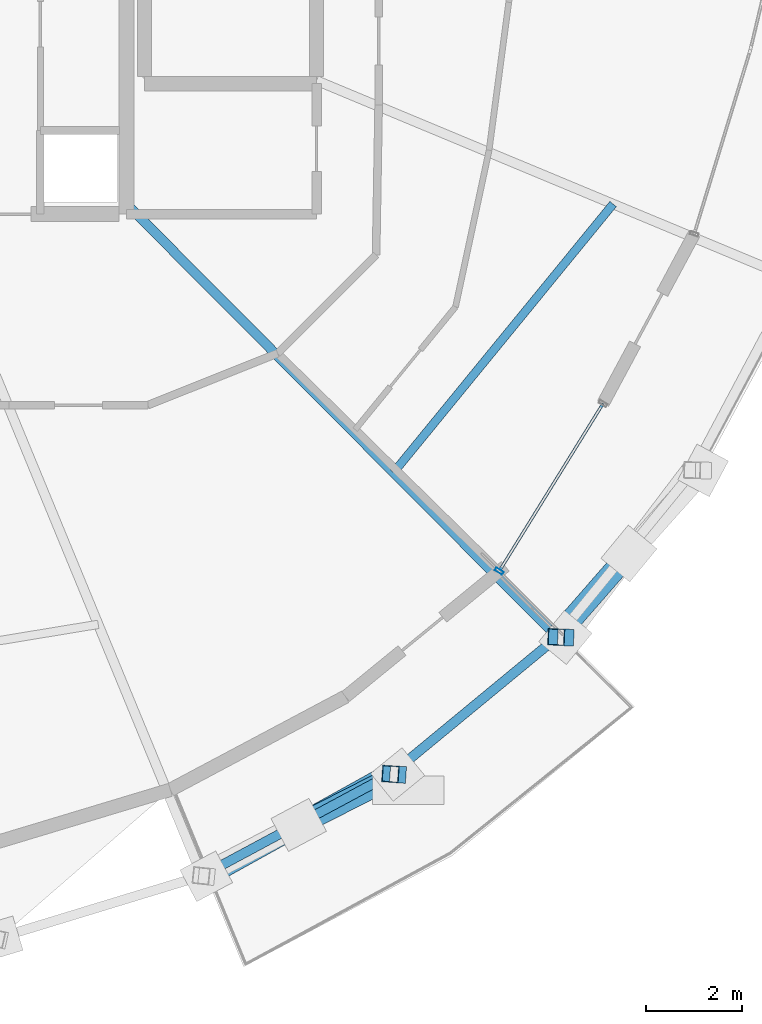
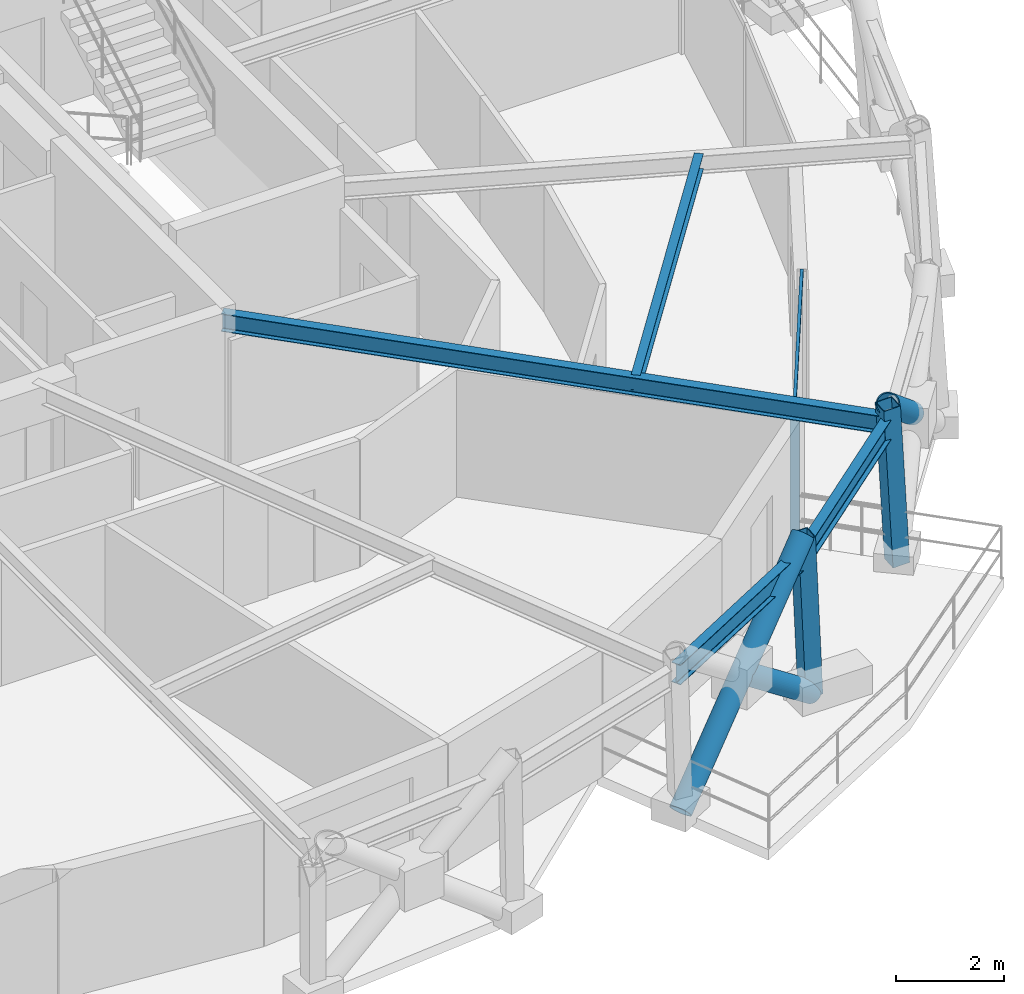
# One storey, part 2 of 12: 7 members, 4 beams, 1 element without a shape of its own.
"""IFC4 building model written with IfcOpenShell, lengths in metres."""

from ifc_helpers import new_model, si_unit, direction, frame, origin, origin_2d, place, context, subcontext, project, spatial, hollow_rectangle, hollow_circle, i_section, extrude, material, layer, layer_set, material_profile, profile_set, type_object, element, aggregate, save


model = new_model("IFC4")

# Units and contexts
model_context = context("Model", 3, precision=1e-05, world=origin(), true_north=direction((0.0, 1.0)))
body_context = subcontext(model_context, "Body", "Model", "MODEL_VIEW")
ifc_project = project(units=[si_unit("LENGTHUNIT", "METRE"), si_unit("AREAUNIT", "SQUARE_METRE"), si_unit("VOLUMEUNIT", "CUBIC_METRE"), si_unit("PLANEANGLEUNIT", "RADIAN"), si_unit("MASSUNIT", "GRAM", prefix="KILO")], contexts=[model_context])

# Site, building, storey
site_placement = place(None, origin())
site = spatial("IfcSite", under=ifc_project, at=site_placement, CompositionType="ELEMENT")
building_placement = place(site_placement, origin())
building = spatial("IfcBuilding", under=site, at=building_placement, Name="Veldorina Hangang Commons", CompositionType="ELEMENT")
storey_placement = place(building_placement, frame((0.0, 0.0, 247.199951171875)))
storey = spatial("IfcBuildingStorey", under=building, at=storey_placement, Name="L64", CompositionType="ELEMENT", Elevation=247.199951171875)

# Beams
ifc_material_1 = material(Name="Steel SM355-TMC", Category="steel")
ifc_material_profile_1 = material_profile(ifc_material_1, i_section(OverallWidth=0.199951171875, OverallDepth=0.39990234375, WebThickness=0.008056640625, FlangeThickness=0.012939453125, FilletRadius=0.012939453125, at=origin_2d()), Name="H-400x200x8x13")
ifc_profile_set_1 = profile_set([ifc_material_profile_1], Name="Steel SM355-TMC")
beam_type_1 = type_object("IfcBeamType", Name="BM-FG400", PredefinedType="BEAM", material=ifc_profile_set_1)
beam_1_placement = place(storey_placement, frame((39.199951171875, 16.7626953125, 3.16015625), z_axis=(0.705281678019, -0.708927185718, 0.0), x_axis=(0.708927185718, 0.705281678019, 0.0)))
element("IfcBeam", 1, at=beam_1_placement, inside=storey, type_object=beam_type_1, Name="L64 radial floor girder 15", PredefinedType="BEAM", context=body_context, shape_type="SweptSolid", body=[
    extrude(i_section(OverallWidth=0.199951171875, OverallDepth=0.39990234375, WebThickness=0.008056640625, FlangeThickness=0.012939453125, FilletRadius=0.012939453125, at=origin_2d()), origin(), (0.0, 0.0, 1.0), 12.791259765625),
])
ifc_material_profile_2 = material_profile(ifc_material_1, i_section(OverallWidth=0.175048828125, OverallDepth=0.35009765625, WebThickness=0.007080078125, FlangeThickness=0.010986328125, FilletRadius=0.012939453125, at=origin_2d()), Name="H-350x175x7x11")
ifc_profile_set_2 = profile_set([ifc_material_profile_2], Name="Steel SM355-TMC")
beam_type_2 = type_object("IfcBeamType", Name="BM-JST350", PredefinedType="JOIST", material=ifc_profile_set_2)
beam_2_placement = place(storey_placement, frame((44.793212890625, 11.140625, 3.18505859375), z_axis=(0.633074781162, 0.774090641628, 0.0), x_axis=(-0.774090641628, 0.633074781162, 0.0)))
element("IfcBeam", 2, at=beam_2_placement, inside=storey, type_object=beam_type_2, Name="L64 secondary floor joist 15", PredefinedType="JOIST", context=body_context, shape_type="SweptSolid", body=[
    extrude(i_section(OverallWidth=0.175048828125, OverallDepth=0.35009765625, WebThickness=0.007080078125, FlangeThickness=0.010986328125, FilletRadius=0.012939453125, at=origin_2d()), origin(), (0.0, 0.0, 1.0), 7.25927734375),
])
ifc_material_profile_3 = material_profile(ifc_material_1, i_section(OverallWidth=0.199951171875, OverallDepth=0.449951171875, WebThickness=0.009033203125, FlangeThickness=0.013916015625, FilletRadius=0.01611328125, at=origin_2d()), Name="H-450x200x9x14")
ifc_profile_set_3 = profile_set([ifc_material_profile_3], Name="Steel SM355-TMC")
beam_type_3 = type_object("IfcBeamType", Name="BM-RB450", PredefinedType="BEAM", material=ifc_profile_set_3)
beam_3_placement = place(storey_placement, frame((40.779052734375, 2.6962890625, 3.135009765625), z_axis=(0.880930378458, 0.473245885676, 0.0), x_axis=(-0.473245885676, 0.880930378458, 0.0)))
element("IfcBeam", 3, at=beam_3_placement, inside=storey, type_object=beam_type_3, Name="L64 perimeter hoop ring beam 26", PredefinedType="BEAM", context=body_context, shape_type="SweptSolid", body=[
    extrude(i_section(OverallWidth=0.199951171875, OverallDepth=0.449951171875, WebThickness=0.009033203125, FlangeThickness=0.013916015625, FilletRadius=0.01611328125, at=origin_2d()), origin(), (0.0, 0.0, 1.0), 4.502197265625),
])
beam_4_placement = place(storey_placement, frame((44.7451171875, 4.826904296875, 3.135009765625), z_axis=(0.771404525715, 0.636345077537, 0.0), x_axis=(-0.636345077537, 0.771404525715, 0.0)))
element("IfcBeam", 4, at=beam_4_placement, inside=storey, type_object=beam_type_3, Name="L64 perimeter hoop ring beam 27", PredefinedType="BEAM", context=body_context, shape_type="SweptSolid", body=[
    extrude(i_section(OverallWidth=0.199951171875, OverallDepth=0.449951171875, WebThickness=0.009033203125, FlangeThickness=0.013916015625, FilletRadius=0.01611328125, at=origin_2d()), origin(), (0.0, 0.0, 1.0), 4.506591796875),
])

# Curtain wall, members
ifc_material_2 = material(Name="Glass Low-E Selective", Category="glass")
ifc_layer = layer(ifc_material_2, 0.179931640625)
ifc_layer_set = layer_set([ifc_layer], Name="Glass Low-E Selective")
curtain_wall_type = type_object("IfcCurtainWallType", Name="CW-SYS-Z3", PredefinedType="NOTDEFINED", material=ifc_layer_set)
curtain_wall_placement = place(storey_placement, origin())
curtain_wall = element("IfcCurtainWall", 5, at=curtain_wall_placement, inside=storey, type_object=curtain_wall_type, Name="L64 unitised curtain wall CW-L64-R1", PredefinedType="NOTDEFINED")
ifc_material_3 = material(Name="Aluminium Anodized AA6063-T6", Category="aluminium")
ifc_material_profile_4 = material_profile(ifc_material_3, hollow_rectangle(XDim=0.070068359375, YDim=0.179931640625, WallThickness=0.00390625, at=origin_2d()), Name="ALU-RHS-180x70x4")
ifc_profile_set_4 = profile_set([ifc_material_profile_4], Name="Aluminium Anodized AA6063-T6")
member_type_1 = type_object("IfcMemberType", Name="CW-MUL-180", PredefinedType="MULLION", material=ifc_profile_set_4)
member_1_placement = place(storey_placement, frame((47.004638671875, 9.0732421875, 0.0), z_axis=(0.0, 0.0, 1.0), x_axis=(0.526436527308, 0.850214433373, 0.0)))
member_1 = element("IfcMember", 6, at=member_1_placement, type_object=member_type_1, Name="CW-L64-R1 vertical mullion 1", PredefinedType="MULLION", context=body_context, shape_type="SweptSolid", body=[
    extrude(hollow_rectangle(XDim=0.070068359375, YDim=0.179931640625, WallThickness=0.00390625, at=origin_2d()), origin(), (0.0, 0.0, 1.0), 3.320068359375),
])
ifc_material_profile_5 = material_profile(ifc_material_3, hollow_rectangle(XDim=0.06005859375, YDim=0.139892578125, WallThickness=0.00341796875, at=origin_2d()), Name="ALU-RHS-140x60x3.5")
ifc_profile_set_5 = profile_set([ifc_material_profile_5], Name="Aluminium Anodized AA6063-T6")
member_type_2 = type_object("IfcMemberType", Name="CW-TRN-140", PredefinedType="USERDEFINED", material=ifc_profile_set_5)
member_2_placement = place(storey_placement, frame((47.004638671875, 9.0732421875, 3.280029296875), z_axis=(0.526438082582, 0.850213470375, 0.0), x_axis=(-0.850213470375, 0.526438082582, 0.0)))
member_2 = element("IfcMember", 7, at=member_2_placement, type_object=member_type_2, Name="CW-L64-R1 facet 1 transom 1", ObjectType="TRANSOM", PredefinedType="USERDEFINED", context=body_context, shape_type="SweptSolid", body=[
    extrude(hollow_rectangle(XDim=0.06005859375, YDim=0.139892578125, WallThickness=0.00341796875, at=origin_2d()), origin(), (0.0, 0.0, 1.0), 4.12841796875),
])
aggregate(curtain_wall, [member_1, member_2])

# Members
ifc_material_profile_6 = material_profile(ifc_material_1, hollow_circle(Radius=0.22509765625, WallThickness=0.02197265625, at=origin_2d()), Name="CHS-450x22")
ifc_profile_set_6 = profile_set([ifc_material_profile_6], Name="Steel SM355-TMC")
member_type_3 = type_object("IfcMemberType", Name="DG-CHS450", PredefinedType="BRACE", material=ifc_profile_set_6)
member_3_placement = place(storey_placement, frame((40.87060546875, 2.686279296875, 0.0), z_axis=(0.677122001627, 0.37627895638, 0.63239223738), x_axis=(-0.485741638648, 0.874102431345, 0.0)))
element("IfcMember", 8, at=member_3_placement, inside=storey, type_object=member_type_3, Name="L64 continuous perimeter diagrid brace 26", PredefinedType="BRACE", context=body_context, shape_type="SweptSolid", body=[
    extrude(hollow_circle(Radius=0.22509765625, WallThickness=0.02197265625, at=origin_2d()), origin(), (0.0, 0.0, 1.0), 5.69287109375),
])
member_4_placement = place(storey_placement, frame((44.8779296875, 4.818115234375, 0.0), z_axis=(-0.703210372248, -0.358444141177, 0.614013819078), x_axis=(0.454131872903, -0.890934476835, 0.0)))
element("IfcMember", 9, at=member_4_placement, inside=storey, type_object=member_type_3, Name="L64 split perimeter diagrid lower brace 27", PredefinedType="BRACE", context=body_context, shape_type="SweptSolid", body=[
    extrude(hollow_circle(Radius=0.22509765625, WallThickness=0.02197265625, at=origin_2d()), origin(), (0.0, 0.0, 1.0), 2.945068359375),
])
member_5_placement = place(storey_placement, frame((49.72119140625, 9.443115234375, 1.8046875), z_axis=(-0.519928967609, -0.59576234729, 0.612161003489), x_axis=(0.753430346806, -0.657527727561, 0.0)))
element("IfcMember", 10, at=member_5_placement, inside=storey, type_object=member_type_3, Name="L64 split perimeter diagrid upper brace 29", PredefinedType="BRACE", context=body_context, shape_type="SweptSolid", body=[
    extrude(hollow_circle(Radius=0.22509765625, WallThickness=0.02197265625, at=origin_2d()), origin(), (0.0, 0.0, 1.0), 2.932861328125),
])
ifc_material_profile_7 = material_profile(ifc_material_1, hollow_rectangle(XDim=0.35009765625, YDim=0.35009765625, WallThickness=0.01611328125, at=origin_2d()), Name="SHS-350x350x16")
ifc_profile_set_7 = profile_set([ifc_material_profile_7], Name="Steel SM355-TMC")
member_type_4 = type_object("IfcMemberType", Name="STR-SHS350", PredefinedType="STRUT", material=ifc_profile_set_7)
member_6_placement = place(storey_placement, frame((44.8779296875, 4.818115234375, 0.0), z_axis=(-0.04234618479, 0.002845663618, 0.999098945467), x_axis=(-0.067048779749, -0.997749698639, 0.0)))
element("IfcMember", 11, at=member_6_placement, inside=storey, type_object=member_type_4, Name="L64 perimeter ring node post 27", PredefinedType="STRUT", context=body_context, shape_type="SweptSolid", body=[
    extrude(hollow_rectangle(XDim=0.35009765625, YDim=0.35009765625, WallThickness=0.01611328125, at=origin_2d()), origin(), (0.0, 0.0, 1.0), 3.603271484375),
])
member_7_placement = place(storey_placement, frame((48.390625, 7.687255859375, 0.0), z_axis=(-0.053902112824, 0.002370067775, 0.998543411681), x_axis=(-0.043927406277, -0.999034725612, 0.0)))
element("IfcMember", 12, at=member_7_placement, inside=storey, type_object=member_type_4, Name="L64 perimeter ring node post 28", PredefinedType="STRUT", context=body_context, shape_type="SweptSolid", body=[
    extrude(hollow_rectangle(XDim=0.35009765625, YDim=0.35009765625, WallThickness=0.01611328125, at=origin_2d()), origin(), (0.0, 0.0, 1.0), 3.60546875),
])

save(model, "model.ifc")
